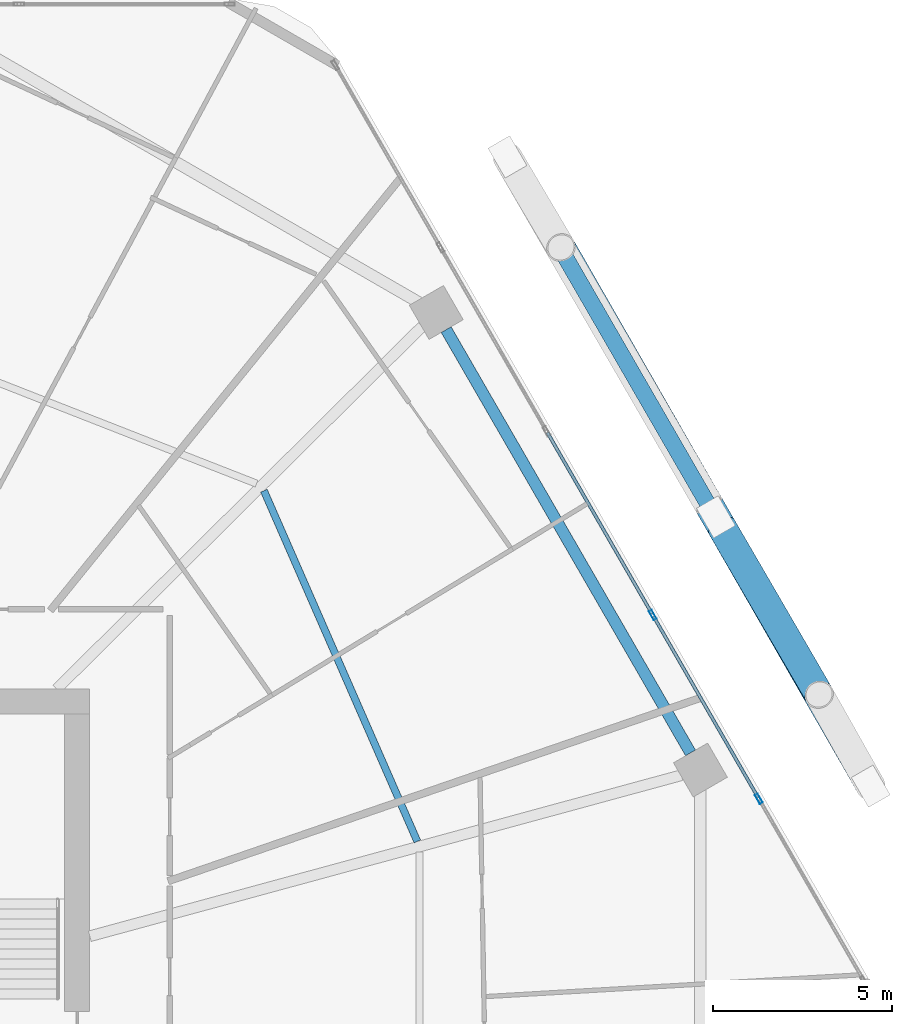
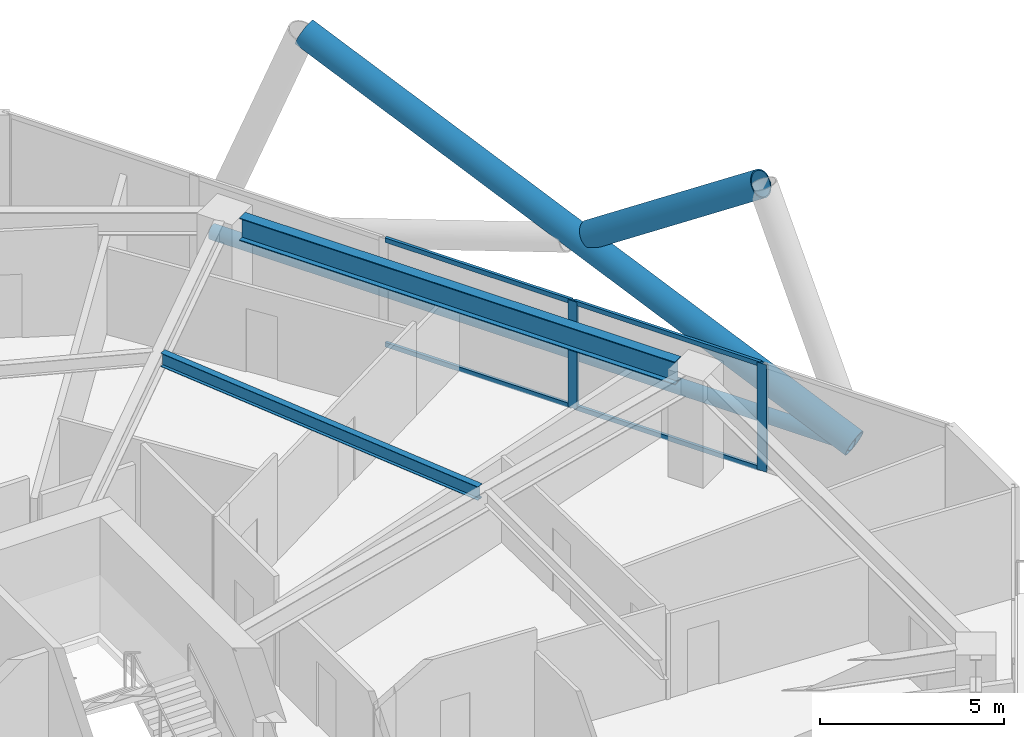
# One storey, part 22 of 36: 9 members, 2 beams, 1 element without a shape of its own.
"""IFC4 building model written with IfcOpenShell, lengths in metres."""

from ifc_helpers import new_model, si_unit, direction, frame, origin, origin_2d, place, context, subcontext, project, spatial, hollow_rectangle, hollow_circle, i_section, extrude, material, material_profile, profile_set, type_object, element, aggregate, save


model = new_model("IFC4")

# Units and contexts
model_context = context("Model", 3, precision=1e-05, world=origin(), true_north=direction((0.0, 1.0)))
body_context = subcontext(model_context, "Body", "Model", "MODEL_VIEW")
ifc_project = project(units=[si_unit("LENGTHUNIT", "METRE"), si_unit("AREAUNIT", "SQUARE_METRE"), si_unit("VOLUMEUNIT", "CUBIC_METRE"), si_unit("PLANEANGLEUNIT", "RADIAN"), si_unit("MASSUNIT", "GRAM", prefix="KILO")], contexts=[model_context])

# Site, building, storey
site_placement = place(None, origin())
site = spatial("IfcSite", under=ifc_project, at=site_placement, CompositionType="ELEMENT")
building_placement = place(site_placement, origin())
building = spatial("IfcBuilding", under=site, at=building_placement, Name="Zuhravey Tower", CompositionType="ELEMENT")
storey_placement = place(building_placement, frame((0.0, 0.0, 107.60009765625)))
storey = spatial("IfcBuildingStorey", under=building, at=storey_placement, Name="L26", CompositionType="ELEMENT", Elevation=107.60009765625)

# Curtain wall, members
ifc_material_1 = material(Name="Thermally broken anodised aluminium", Category="aluminium")
curtain_wall_type = type_object("IfcCurtainWallType", Name="Zone 1-2 Residential Curtain Wall CW3", PredefinedType="NOTDEFINED", material=ifc_material_1)
curtain_wall_placement = place(storey_placement, origin())
curtain_wall = element("IfcCurtainWall", 1, at=curtain_wall_placement, inside=storey, type_object=curtain_wall_type, Name="L26 CW3 CW-L26-F1-1", PredefinedType="NOTDEFINED")
ifc_material_2 = material(Name="Anodised aluminium", Category="aluminium")
ifc_material_profile_1 = material_profile(ifc_material_2, hollow_rectangle(XDim=0.090087890625, YDim=0.284912109375, WallThickness=0.0048828125, at=origin_2d()), Name="ALU-RHS-90x285x5")
ifc_profile_set_1 = profile_set([ifc_material_profile_1], Name="Anodised aluminium")
member_type_1 = type_object("IfcMemberType", Name="Curtain-Wall Mullion 90x180", PredefinedType="MULLION", material=ifc_profile_set_1)
member_1_placement = place(storey_placement, frame((62.55859375, 43.916015625, 0.0), z_axis=(0.0, 0.0, 1.0), x_axis=(0.86602552265, 0.499999794119, 0.0)))
member_1 = element("IfcMember", 2, at=member_1_placement, type_object=member_type_1, Name="CW3 mullion 4", PredefinedType="MULLION", context=body_context, shape_type="SweptSolid", body=[
    extrude(hollow_rectangle(XDim=0.090087890625, YDim=0.284912109375, WallThickness=0.0048828125, at=origin_2d()), origin(), (0.0, 0.0, 1.0), 3.5498046875),
])
member_2_placement = place(storey_placement, frame((65.5185546875, 38.789306640625, 0.0), z_axis=(0.0, 0.0, 1.0), x_axis=(0.86602552265, 0.499999794119, 0.0)))
member_2 = element("IfcMember", 3, at=member_2_placement, type_object=member_type_1, Name="CW3 mullion 5", PredefinedType="MULLION", context=body_context, shape_type="SweptSolid", body=[
    extrude(hollow_rectangle(XDim=0.090087890625, YDim=0.284912109375, WallThickness=0.0048828125, at=origin_2d()), origin(), (0.0, 0.0, 1.0), 3.5498046875),
])
ifc_material_profile_2 = material_profile(ifc_material_2, hollow_rectangle(XDim=0.090087890625, YDim=0.14990234375, WallThickness=0.0048828125, at=origin_2d()), Name="ALU-RHS-90x150x5")
ifc_profile_set_2 = profile_set([ifc_material_profile_2], Name="Anodised aluminium")
member_type_2 = type_object("IfcMemberType", Name="Curtain-Wall Transom 90x150", PredefinedType="USERDEFINED", material=ifc_profile_set_2)
member_3_placement = place(storey_placement, frame((59.621337890625, 49.003662109375, 0.044921875), z_axis=(0.499981042766, -0.866036348472, 0.0), x_axis=(0.866036348472, 0.499981042766, 0.0)))
member_3 = element("IfcMember", 4, at=member_3_placement, type_object=member_type_2, Name="CW3 transom 3.1", ObjectType="TRANSOM", PredefinedType="USERDEFINED", context=body_context, shape_type="SweptSolid", body=[
    extrude(hollow_rectangle(XDim=0.090087890625, YDim=0.14990234375, WallThickness=0.0048828125, at=origin_2d()), origin(), (0.0, 0.0, 1.0), 5.829833984375),
])
member_4_placement = place(storey_placement, frame((59.621337890625, 49.003662109375, 3.5048828125), z_axis=(0.499981042766, -0.866036348472, 0.0), x_axis=(0.866036348472, 0.499981042766, 0.0)))
member_4 = element("IfcMember", 5, at=member_4_placement, type_object=member_type_2, Name="CW3 transom 3.2", ObjectType="TRANSOM", PredefinedType="USERDEFINED", context=body_context, shape_type="SweptSolid", body=[
    extrude(hollow_rectangle(XDim=0.090087890625, YDim=0.14990234375, WallThickness=0.0048828125, at=origin_2d()), origin(), (0.0, 0.0, 1.0), 5.829833984375),
])
member_5_placement = place(storey_placement, frame((62.581298828125, 43.876953125, 0.044921875), z_axis=(0.499981042766, -0.866036348472, 0.0), x_axis=(0.866036348472, 0.499981042766, 0.0)))
member_5 = element("IfcMember", 6, at=member_5_placement, type_object=member_type_2, Name="CW3 transom 4.1", ObjectType="TRANSOM", PredefinedType="USERDEFINED", context=body_context, shape_type="SweptSolid", body=[
    extrude(hollow_rectangle(XDim=0.090087890625, YDim=0.14990234375, WallThickness=0.0048828125, at=origin_2d()), origin(), (0.0, 0.0, 1.0), 5.829833984375),
])
member_6_placement = place(storey_placement, frame((62.581298828125, 43.876953125, 3.5048828125), z_axis=(0.499981042766, -0.866036348472, 0.0), x_axis=(0.866036348472, 0.499981042766, 0.0)))
member_6 = element("IfcMember", 7, at=member_6_placement, type_object=member_type_2, Name="CW3 transom 4.2", ObjectType="TRANSOM", PredefinedType="USERDEFINED", context=body_context, shape_type="SweptSolid", body=[
    extrude(hollow_rectangle(XDim=0.090087890625, YDim=0.14990234375, WallThickness=0.0048828125, at=origin_2d()), origin(), (0.0, 0.0, 1.0), 5.829833984375),
])
aggregate(curtain_wall, [member_1, member_2, member_3, member_4, member_5, member_6])

# Members
ifc_material_3 = material(Name="Steel SM355", Category="steel")
ifc_material_profile_3 = material_profile(ifc_material_3, hollow_circle(Radius=0.228515625, WallThickness=0.02197265625, at=origin_2d()), Name="CHS-457.2x22")
ifc_profile_set_3 = profile_set([ifc_material_profile_3], Name="Steel SM355")
member_type_3 = type_object("IfcMemberType", Name="Exoskeleton Ring Tie CHS457x22", PredefinedType="CHORD", material=ifc_profile_set_3)
member_7_placement = place(storey_placement, frame((68.5712890625, 39.26171875, -0.464111328125), z_axis=(-0.500001503855, 0.866024535532, 0.0), x_axis=(-0.866024535532, -0.500001503855, 0.0)))
element("IfcMember", 8, at=member_7_placement, inside=storey, type_object=member_type_3, Name="L26 Exoskeleton Face 1 Tie EXR1", PredefinedType="CHORD", context=body_context, shape_type="SweptSolid", body=[
    extrude(hollow_circle(Radius=0.228515625, WallThickness=0.02197265625, at=origin_2d()), origin(), (0.0, 0.0, 1.0), 19.99365234375),
])
ifc_material_4 = material(Name="Steel SM460", Category="steel")
ifc_material_profile_4 = material_profile(ifc_material_4, hollow_circle(Radius=0.406494140625, WallThickness=0.035888671875, at=origin_2d()), Name="CHS-812.8x36")
ifc_profile_set_4 = profile_set([ifc_material_profile_4], Name="Steel SM460")
member_type_4 = type_object("IfcMemberType", Name="Exoskeleton Zone 1 Diagrid CHS813x36", PredefinedType="BRACE", material=ifc_profile_set_4)
member_8_placement = place(storey_placement, frame((68.6162109375, 39.18408203125, -0.442138671875), z_axis=(-0.456522045274, 0.79390794042, 0.401618979029), x_axis=(-0.866894516106, -0.498491622744, 0.0)))
element("IfcMember", 9, at=member_8_placement, inside=storey, type_object=member_type_4, Name="L26 Face 1 Diagrid Brace 2", PredefinedType="BRACE", context=body_context, shape_type="SweptSolid", body=[
    extrude(hollow_circle(Radius=0.406494140625, WallThickness=0.035888671875, at=origin_2d()), origin(), (0.0, 0.0, 1.0), 18.814208984375),
])
member_9_placement = place(storey_placement, frame((64.487548828125, 46.36669921875, 3.55517578125), z_axis=(0.418406861142, -0.720333877861, 0.553222200345), x_axis=(0.864711536908, 0.502268810438, 0.0)))
element("IfcMember", 10, at=member_9_placement, inside=storey, type_object=member_type_4, Name="L26 Face 1 Split Diagrid Brace 3B", PredefinedType="BRACE", context=body_context, shape_type="SweptSolid", body=[
    extrude(hollow_circle(Radius=0.406494140625, WallThickness=0.035888671875, at=origin_2d()), origin(), (0.0, 0.0, 1.0), 6.41796875),
])

# Beams
ifc_material_profile_5 = material_profile(ifc_material_3, i_section(OverallWidth=0.320068359375, OverallDepth=0.75, WebThickness=0.013916015625, FlangeThickness=0.02490234375, at=origin_2d()), Name="H-750x320x14x25")
ifc_profile_set_5 = profile_set([ifc_material_profile_5], Name="Steel SM355")
beam_type_1 = type_object("IfcBeamType", Name="Perimeter Ring Beam H750x320", PredefinedType="BEAM", material=ifc_profile_set_5)
beam_1_placement = place(storey_placement, frame((63.612548828125, 40.070556640625, 3.1748046875), z_axis=(-0.500008177929, 0.866020682204, 0.0), x_axis=(-0.866020682204, -0.500008177929, 0.0)))
element("IfcBeam", 11, at=beam_1_placement, inside=storey, type_object=beam_type_1, Name="L26 PB1 BM-L26-PB-01", PredefinedType="BEAM", context=body_context, shape_type="SweptSolid", body=[
    extrude(i_section(OverallWidth=0.320068359375, OverallDepth=0.75, WebThickness=0.013916015625, FlangeThickness=0.02490234375, at=origin_2d()), origin(), (0.0, 0.0, 1.0), 13.634033203125),
])
ifc_material_profile_6 = material_profile(ifc_material_3, i_section(OverallWidth=0.199951171875, OverallDepth=0.449951171875, WebThickness=0.009033203125, FlangeThickness=0.013916015625, at=origin_2d()), Name="H-450x200x9x14")
ifc_profile_set_6 = profile_set([ifc_material_profile_6], Name="Steel SM355")
beam_type_2 = type_object("IfcBeamType", Name="Secondary Floor Joist H450x200", PredefinedType="JOIST", material=ifc_profile_set_6)
beam_2_placement = place(storey_placement, frame((55.99072265625, 37.599609375, 3.324951171875), z_axis=(-0.400786454617, 0.916171500209, 0.0), x_axis=(-0.916171500209, -0.400786454617, 0.0)))
element("IfcBeam", 12, at=beam_2_placement, inside=storey, type_object=beam_type_2, Name="L26 SJ1 BM-L26-SJ-01-1", PredefinedType="JOIST", context=body_context, shape_type="SweptSolid", body=[
    extrude(i_section(OverallWidth=0.199951171875, OverallDepth=0.449951171875, WebThickness=0.009033203125, FlangeThickness=0.013916015625, at=origin_2d()), origin(), (0.0, 0.0, 1.0), 10.6796875),
])

save(model, "model.ifc")
